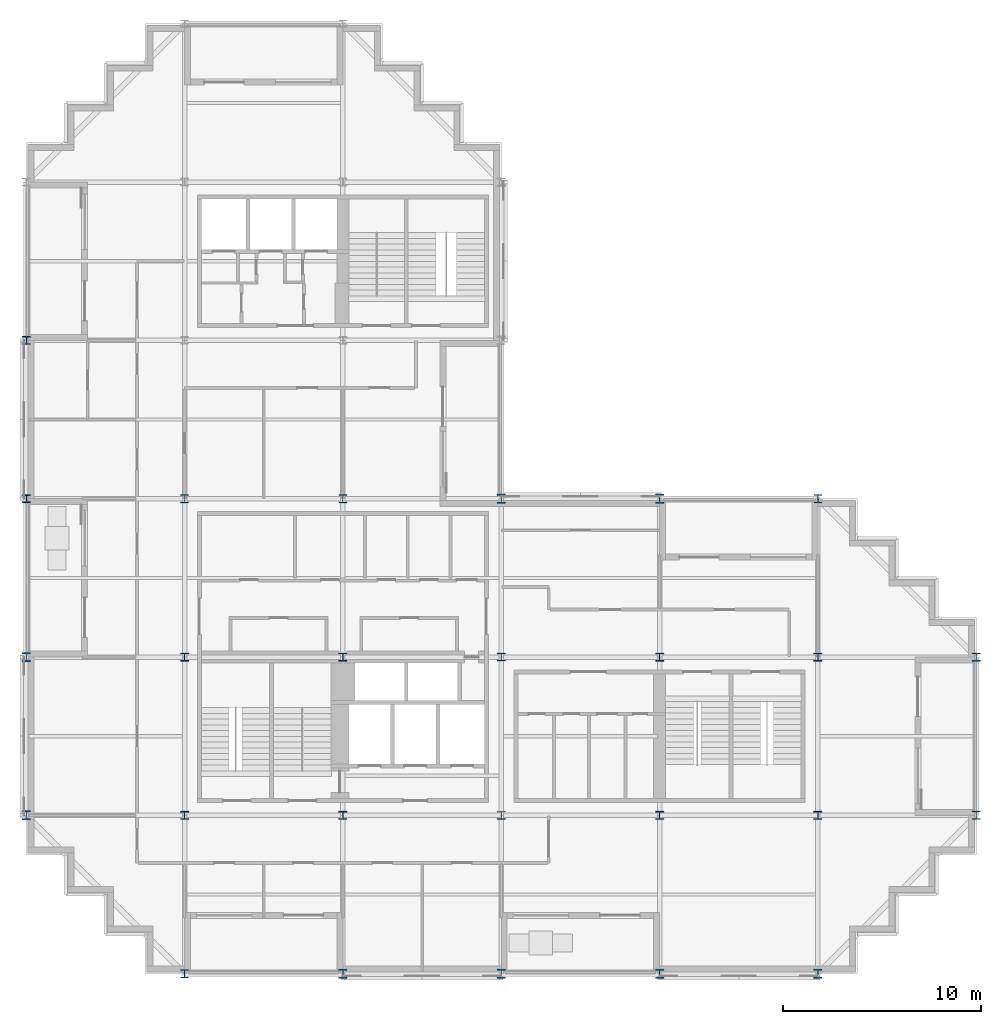
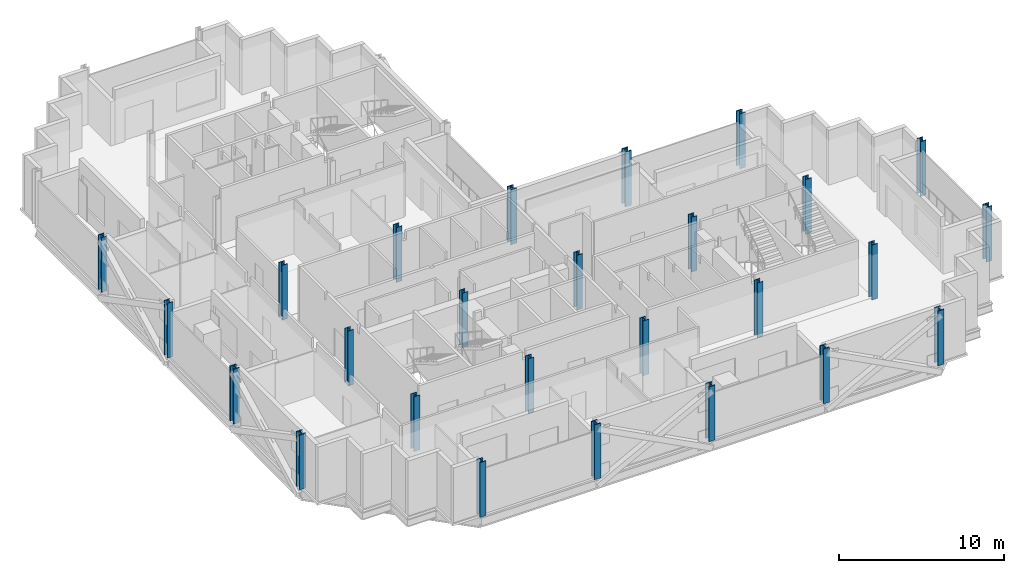
# One storey, part 1 of 13: 26 columns.
"""IFC4 building model written with IfcOpenShell, lengths in metres."""

from ifc_helpers import new_model, si_unit, direction, frame, origin, origin_2d, place, context, subcontext, project, spatial, i_section, extrude, material, material_profile, profile_set, type_object, element, save


model = new_model("IFC4")

# Units and contexts
model_context = context("Model", 3, precision=1e-05, world=origin(), true_north=direction((0.0, 1.0)))
body_context = subcontext(model_context, "Body", "Model", "MODEL_VIEW")
ifc_project = project(units=[si_unit("LENGTHUNIT", "METRE"), si_unit("AREAUNIT", "SQUARE_METRE"), si_unit("VOLUMEUNIT", "CUBIC_METRE"), si_unit("PLANEANGLEUNIT", "RADIAN"), si_unit("MASSUNIT", "GRAM", prefix="KILO")], contexts=[model_context])

# Site, building, storey
site_placement = place(None, origin())
site = spatial("IfcSite", under=ifc_project, at=site_placement, CompositionType="ELEMENT")
building_placement = place(site_placement, origin())
building = spatial("IfcBuilding", under=site, at=building_placement, Name="Immortelle Media Tower", CompositionType="ELEMENT")
storey_placement = place(building_placement, frame((0.0, 0.0, 128.39990234375)))
storey = spatial("IfcBuildingStorey", under=building, at=storey_placement, Name="L25", CompositionType="ELEMENT", Elevation=128.39990234375)

# Columns
ifc_material = material(Name="Steel ASTM A992 Gr 50", Category="steel")
ifc_material_profile_1 = material_profile(ifc_material, i_section(OverallWidth=0.40087890625, OverallDepth=0.39892578125, WebThickness=0.02490234375, FlangeThickness=0.0400390625, at=origin_2d()), Name="W14x211")
ifc_profile_set_1 = profile_set([ifc_material_profile_1], Name="Steel ASTM A992 Gr 50")
column_type_1 = type_object("IfcColumnType", Name="W14x211 column", PredefinedType="COLUMN", material=ifc_profile_set_1)
for number, where, z_axis, x_axis, name in (
    (1, (0.0, 24.0, 0.0), (0.0, 0.0, 1.0), (1.0, 0.0, 0.0), "Column 1/D"),
    (2, (0.0, 32.0, 0.0), (0.0, 0.0, 1.0), (1.0, 0.0, 0.0), "Column 1/E"),
    (3, (8.0, 8.0, 0.0), (0.0, 0.0, 1.0), (1.0, 0.0, 0.0), "Column 2/B"),
    (4, (8.0, 16.0, 0.0), (0.0, 0.0, 1.0), (1.0, 0.0, 0.0), "Column 2/C"),
    (5, (16.0, 8.0, 0.0), (0.0, 0.0, 1.0), (1.0, 0.0, 0.0), "Column 3/B"),
    (6, (16.0, 16.0, 0.0), (0.0, 0.0, 1.0), (1.0, 0.0, 0.0), "Column 3/C"),
    (7, (32.0, 8.0, 0.0), (0.0, 0.0, 1.0), (1.0, 0.0, 0.0), "Column 5/B"),
    (8, (32.0, 16.0, 0.0), (0.0, 0.0, 1.0), (1.0, 0.0, 0.0), "Column 5/C"),
    (9, (40.0, 8.0, 0.0), (0.0, 0.0, 1.0), (1.0, 0.0, 0.0), "Column 6/B"),
    (10, (40.0, 16.0, 0.0), (0.0, 0.0, 1.0), (1.0, 0.0, 0.0), "Column 6/C"),
):
    element("IfcColumn", number, at=place(storey_placement, frame(where, z_axis=z_axis, x_axis=x_axis)), inside=storey, type_object=column_type_1, Name=name, PredefinedType="COLUMN", context=body_context, shape_type="SweptSolid", body=[
        extrude(i_section(OverallWidth=0.40087890625, OverallDepth=0.39892578125, WebThickness=0.02490234375, FlangeThickness=0.0400390625, at=origin_2d()), origin(), (0.0, 0.0, 1.0), 4.050048828125),
    ])
ifc_material_profile_2 = material_profile(ifc_material, i_section(OverallWidth=0.406005859375, OverallDepth=0.4169921875, WebThickness=0.030029296875, FlangeThickness=0.048095703125, at=origin_2d()), Name="W14x257")
ifc_profile_set_2 = profile_set([ifc_material_profile_2], Name="Steel ASTM A992 Gr 50")
column_type_2 = type_object("IfcColumnType", Name="W14x257 column", PredefinedType="COLUMN", material=ifc_profile_set_2)
for number, where, z_axis, x_axis, name in (
    (11, (8.0, 24.0, 0.0), (0.0, 0.0, 1.0), (1.0, 0.0, 0.0), "Column 2/D"),
    (12, (16.0, 24.0, 0.0), (0.0, 0.0, 1.0), (1.0, 0.0, 0.0), "Column 3/D"),
    (13, (24.0, 8.0, 0.0), (0.0, 0.0, 1.0), (1.0, 0.0, 0.0), "Column 4/B"),
    (14, (24.0, 16.0, 0.0), (0.0, 0.0, 1.0), (1.0, 0.0, 0.0), "Column 4/C"),
):
    element("IfcColumn", number, at=place(storey_placement, frame(where, z_axis=z_axis, x_axis=x_axis)), inside=storey, type_object=column_type_2, Name=name, PredefinedType="COLUMN", context=body_context, shape_type="SweptSolid", body=[
        extrude(i_section(OverallWidth=0.406005859375, OverallDepth=0.4169921875, WebThickness=0.030029296875, FlangeThickness=0.048095703125, at=origin_2d()), origin(), (0.0, 0.0, 1.0), 4.050048828125),
    ])
ifc_material_profile_3 = material_profile(ifc_material, i_section(OverallWidth=0.410888671875, OverallDepth=0.43408203125, WebThickness=0.035888671875, FlangeThickness=0.056884765625, at=origin_2d()), Name="W14x311")
ifc_profile_set_3 = profile_set([ifc_material_profile_3], Name="Steel ASTM A992 Gr 50")
column_type_3 = type_object("IfcColumnType", Name="W14x311 column", PredefinedType="COLUMN", material=ifc_profile_set_3)
for number, where, z_axis, x_axis, name in (
    (15, (8.0, 0.0, 0.0), (0.0, 0.0, 1.0), (1.0, 0.0, 0.0), "Column 2/A"),
    (16, (40.0, 24.0, 0.0), (0.0, 0.0, 1.0), (1.0, 0.0, 0.0), "Column 6/D"),
    (17, (48.0, 8.0, 0.0), (0.0, 0.0, 1.0), (1.0, 0.0, 0.0), "Column 7/B"),
    (18, (48.0, 16.0, 0.0), (0.0, 0.0, 1.0), (1.0, 0.0, 0.0), "Column 7/C"),
):
    element("IfcColumn", number, at=place(storey_placement, frame(where, z_axis=z_axis, x_axis=x_axis)), inside=storey, type_object=column_type_3, Name=name, PredefinedType="COLUMN", context=body_context, shape_type="SweptSolid", body=[
        extrude(i_section(OverallWidth=0.410888671875, OverallDepth=0.43408203125, WebThickness=0.035888671875, FlangeThickness=0.056884765625, at=origin_2d()), origin(), (0.0, 0.0, 1.0), 4.050048828125),
    ])
ifc_material_profile_4 = material_profile(ifc_material, i_section(OverallWidth=0.424072265625, OverallDepth=0.47509765625, WebThickness=0.048095703125, FlangeThickness=0.076904296875, at=origin_2d()), Name="W14x426")
ifc_profile_set_4 = profile_set([ifc_material_profile_4], Name="Steel ASTM A992 Gr 50")
column_type_4 = type_object("IfcColumnType", Name="W14x426 column", PredefinedType="COLUMN", material=ifc_profile_set_4)
for number, where, z_axis, x_axis, name in (
    (19, (0.0, 8.0, 0.0), (0.0, 0.0, 1.0), (1.0, 0.0, 0.0), "Column 1/B"),
    (20, (0.0, 16.0, 0.0), (0.0, 0.0, 1.0), (1.0, 0.0, 0.0), "Column 1/C"),
    (21, (16.0, 0.0, 0.0), (0.0, 0.0, 1.0), (1.0, 0.0, 0.0), "Column 3/A"),
    (22, (24.0, 0.0, 0.0), (0.0, 0.0, 1.0), (1.0, 0.0, 0.0), "Column 4/A"),
    (23, (24.0, 24.0, 0.0), (0.0, 0.0, 1.0), (1.0, 0.0, 0.0), "Column 4/D"),
    (24, (32.0, 0.0, 0.0), (0.0, 0.0, 1.0), (1.0, 0.0, 0.0), "Column 5/A"),
    (25, (32.0, 24.0, 0.0), (0.0, 0.0, 1.0), (1.0, 0.0, 0.0), "Column 5/D"),
    (26, (40.0, 0.0, 0.0), (0.0, 0.0, 1.0), (1.0, 0.0, 0.0), "Column 6/A"),
):
    element("IfcColumn", number, at=place(storey_placement, frame(where, z_axis=z_axis, x_axis=x_axis)), inside=storey, type_object=column_type_4, Name=name, PredefinedType="COLUMN", context=body_context, shape_type="SweptSolid", body=[
        extrude(i_section(OverallWidth=0.424072265625, OverallDepth=0.47509765625, WebThickness=0.048095703125, FlangeThickness=0.076904296875, at=origin_2d()), origin(), (0.0, 0.0, 1.0), 4.050048828125),
    ])

save(model, "model.ifc")
